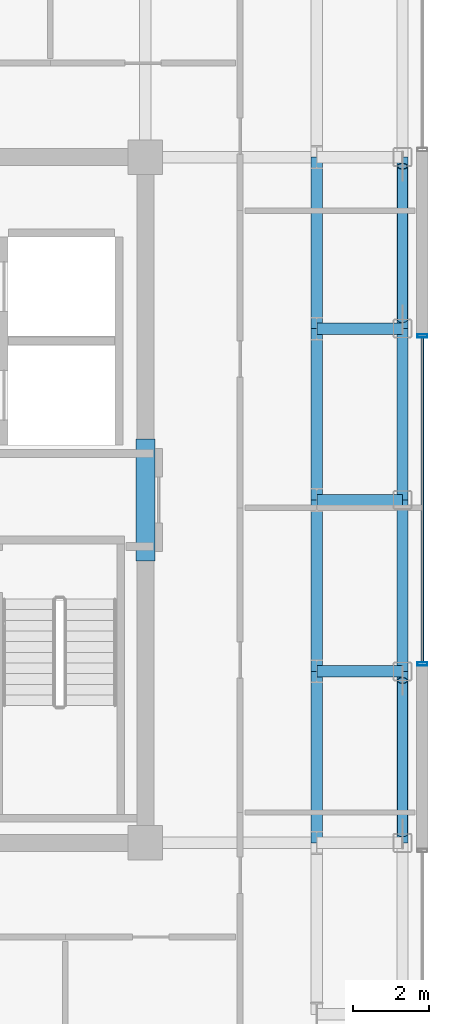
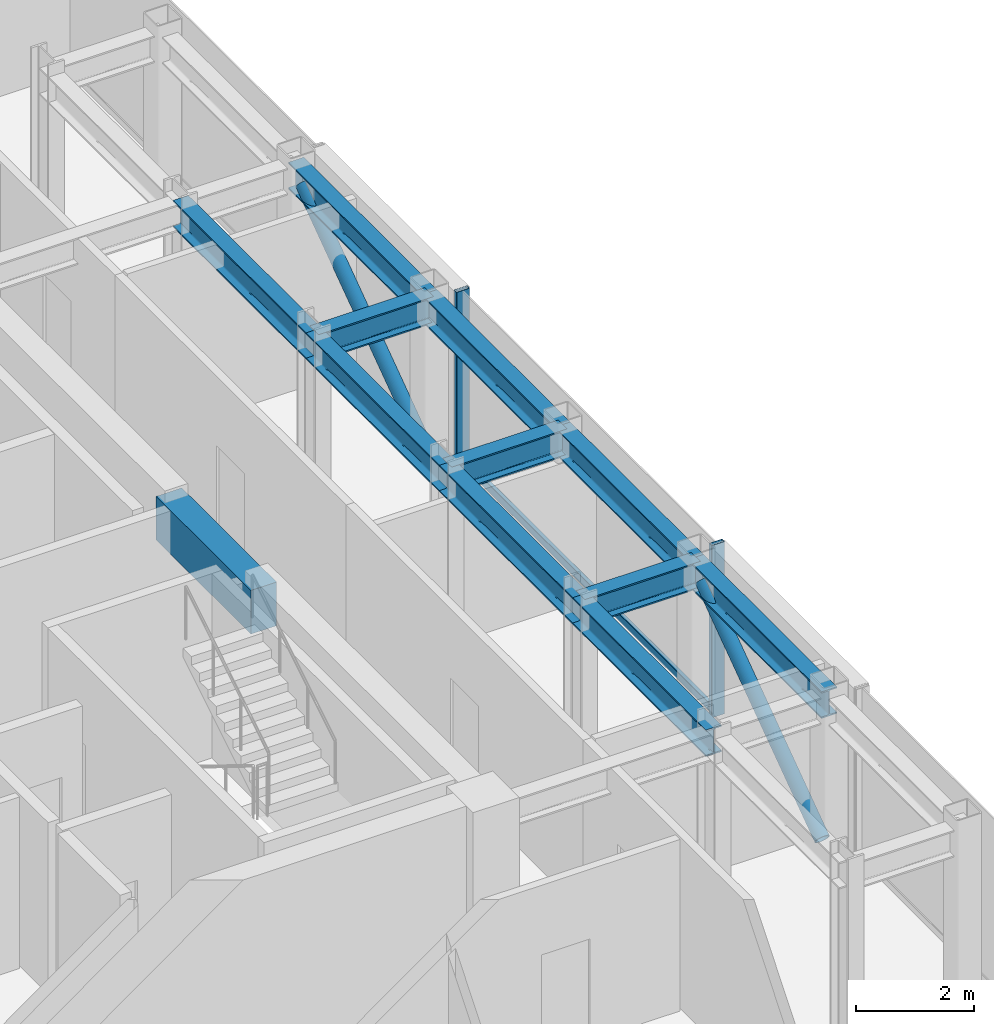
# One storey, part 6 of 16: 12 beams, 5 members, 1 element without a shape of its own.
"""IFC4 building model written with IfcOpenShell, lengths in metres."""

from ifc_helpers import new_model, si_unit, direction, frame, origin, origin_2d, place, context, subcontext, project, spatial, rectangle, hollow_rectangle, hollow_circle, i_section, extrude, source, transform, mapped, material, layer, layer_set, material_profile, profile_set, type_object, element, aggregate, save


model = new_model("IFC4")

# Units and contexts
model_context = context("Model", 3, precision=1e-05, world=origin(), true_north=direction((0.0, 1.0)))
body_context = subcontext(model_context, "Body", "Model", "MODEL_VIEW")
ifc_project = project(units=[si_unit("LENGTHUNIT", "METRE"), si_unit("AREAUNIT", "SQUARE_METRE"), si_unit("VOLUMEUNIT", "CUBIC_METRE"), si_unit("PLANEANGLEUNIT", "RADIAN"), si_unit("MASSUNIT", "GRAM", prefix="KILO")], contexts=[model_context])

# Site, building, storey
site_placement = place(None, origin())
site = spatial("IfcSite", under=ifc_project, at=site_placement, CompositionType="ELEMENT")
building_placement = place(site_placement, origin())
building = spatial("IfcBuilding", under=site, at=building_placement, Name="Nefas-Gora Pilgrimage Tower", CompositionType="ELEMENT")
storey_placement = place(building_placement, frame((0.0, 0.0, 310.199951171875)))
storey = spatial("IfcBuildingStorey", under=building, at=storey_placement, Name="L78", CompositionType="ELEMENT", Elevation=310.199951171875)

# Beam
ifc_material_1 = material(Name="Concrete C50/60", Category="concrete")
ifc_material_profile_1 = material_profile(ifc_material_1, rectangle(XDim=0.5, YDim=0.89990234375, at=origin_2d()), Name="RC 500x900")
ifc_profile_set_1 = profile_set([ifc_material_profile_1], Name="Concrete C50/60")
beam_type_1 = type_object("IfcBeamType", Name="BM-LIN-RC900", PredefinedType="LINTEL", material=ifc_profile_set_1)
shared_shape_1 = source(origin(), body_context, "Body", "SweptSolid", [
    extrude(rectangle(XDim=0.5, YDim=0.89990234375, at=origin_2d()), origin(), (0.0, 0.0, 1.0), 3.2001953125),
])
beam_placement = place(storey_placement, frame((11.25, -1.60009765625, 3.10009765625), z_axis=(0.0, 1.0, 0.0), x_axis=(-1.0, 0.0, 0.0)))
element("IfcBeam", 1, at=beam_placement, inside=storey, type_object=beam_type_1, Name="L78 Core Coupling Lintel Beam E", PredefinedType="LINTEL", context=body_context, shape_type="MappedRepresentation", body=[
    mapped(shared_shape_1, transform((0.0, 0.0, 0.0), x_axis=(1.0, 0.0, 0.0), y_axis=(0.0, 1.0, 0.0), z_axis=(0.0, 0.0, 1.0), scale=1.0)),
])

# Members
ifc_material_2 = material(Name="Steel S355", Category="steel")
ifc_material_profile_2 = material_profile(ifc_material_2, hollow_circle(Radius=0.136474609375, WallThickness=0.01611328125, at=origin_2d()), Name="CHS 273x16")
ifc_profile_set_2 = profile_set([ifc_material_profile_2], Name="Steel S355")
member_type_1 = type_object("IfcMemberType", Name="MEM-TUBE-273", PredefinedType="BRACE", material=ifc_profile_set_2)
shared_shape_2 = source(origin(), body_context, "Body", "SweptSolid", [
    extrude(hollow_circle(Radius=0.136474609375, WallThickness=0.01611328125, at=origin_2d()), origin(), (0.0, 0.0, 1.0), 4.947998046875),
])
for number, where, z_axis, x_axis, name in (
    (2, (18.0, -8.761962890625, 0.3203125), (0.0, 0.813239767156, 0.581928759485), (-1.0, 0.0, 0.0), "L78 Perimeter Tube Diagonal Brace E1"),
    (3, (18.0, 4.738037109375, 0.3203125), (0.0, 0.813239767156, 0.581928759485), (-1.0, 0.0, 0.0), "L78 Perimeter Tube Diagonal Brace E2"),
):
    element("IfcMember", number, at=place(storey_placement, frame(where, z_axis=z_axis, x_axis=x_axis)), inside=storey, type_object=member_type_1, Name=name, PredefinedType="BRACE", context=body_context, shape_type="MappedRepresentation", body=[
        mapped(shared_shape_2, transform((0.0, 0.0, 0.0), x_axis=(1.0, 0.0, 0.0), y_axis=(0.0, 1.0, 0.0), z_axis=(0.0, 0.0, 1.0), scale=1.0)),
    ])

# Beams
ifc_material_profile_3 = material_profile(ifc_material_2, i_section(OverallWidth=0.300048828125, OverallDepth=0.550048828125, WebThickness=0.014892578125, FlangeThickness=0.029052734375, FilletRadius=0.027099609375, at=origin_2d()), Name="HEB 550")
ifc_profile_set_3 = profile_set([ifc_material_profile_3], Name="Steel S355")
beam_type_2 = type_object("IfcBeamType", Name="BM-SPN-HEB400", PredefinedType="SPANDREL", material=ifc_profile_set_3)
shared_shape_3 = source(origin(), body_context, "Body", "SweptSolid", [
    extrude(i_section(OverallWidth=0.300048828125, OverallDepth=0.550048828125, WebThickness=0.014892578125, FlangeThickness=0.029052734375, FilletRadius=0.027099609375, at=origin_2d()), origin(), (0.0, 0.0, 1.0), 4.5),
])
for number, where, z_axis, x_axis, name in (
    (4, (18.0, -9.0, 3.275146484375), (0.0, 1.0, 0.0), (-1.0, 0.0, 0.0), "L78 SP-04 beam"),
    (5, (18.0, -4.5, 3.275146484375), (0.0, 1.0, 0.0), (-1.0, 0.0, 0.0), "L78 SP-04 beam"),
    (6, (18.0, 0.0, 3.275146484375), (0.0, 1.0, 0.0), (-1.0, 0.0, 0.0), "L78 SP-04 beam"),
    (7, (18.0, 4.5, 3.275146484375), (0.0, 1.0, 0.0), (-1.0, 0.0, 0.0), "L78 SP-04 beam"),
):
    element("IfcBeam", number, at=place(storey_placement, frame(where, z_axis=z_axis, x_axis=x_axis)), inside=storey, type_object=beam_type_2, Name=name, PredefinedType="SPANDREL", context=body_context, shape_type="MappedRepresentation", body=[
        mapped(shared_shape_3, transform((0.0, 0.0, 0.0), x_axis=(1.0, 0.0, 0.0), y_axis=(0.0, 1.0, 0.0), z_axis=(0.0, 0.0, 1.0), scale=1.0)),
    ])
ifc_material_profile_4 = material_profile(ifc_material_2, i_section(OverallWidth=0.300048828125, OverallDepth=0.550048828125, WebThickness=0.014892578125, FlangeThickness=0.029052734375, FilletRadius=0.027099609375, at=origin_2d()), Name="HEB 550")
ifc_profile_set_4 = profile_set([ifc_material_profile_4], Name="Steel S355")
beam_type_3 = type_object("IfcBeamType", Name="BM-GIR-HEB550", PredefinedType="BEAM", material=ifc_profile_set_4)
shared_shape_4 = source(origin(), body_context, "Body", "SweptSolid", [
    extrude(i_section(OverallWidth=0.300048828125, OverallDepth=0.550048828125, WebThickness=0.014892578125, FlangeThickness=0.029052734375, FilletRadius=0.027099609375, at=origin_2d()), origin(), (0.0, 0.0, 1.0), 4.5),
])
for number, where, z_axis, x_axis, name in (
    (8, (15.75, -9.0, 3.275146484375), (0.0, 1.0, 0.0), (-1.0, 0.0, 0.0), "L78 G-05 beam"),
    (9, (15.75, -4.5, 3.275146484375), (0.0, 1.0, 0.0), (-1.0, 0.0, 0.0), "L78 G-05 beam"),
    (10, (15.75, 0.0, 3.275146484375), (0.0, 1.0, 0.0), (-1.0, 0.0, 0.0), "L78 G-05 beam"),
    (11, (15.75, 4.5, 3.275146484375), (0.0, 1.0, 0.0), (-1.0, 0.0, 0.0), "L78 G-05 beam"),
):
    element("IfcBeam", number, at=place(storey_placement, frame(where, z_axis=z_axis, x_axis=x_axis)), inside=storey, type_object=beam_type_3, Name=name, PredefinedType="BEAM", context=body_context, shape_type="MappedRepresentation", body=[
        mapped(shared_shape_4, transform((0.0, 0.0, 0.0), x_axis=(1.0, 0.0, 0.0), y_axis=(0.0, 1.0, 0.0), z_axis=(0.0, 0.0, 1.0), scale=1.0)),
    ])
shared_shape_5 = source(origin(), body_context, "Body", "SweptSolid", [
    extrude(i_section(OverallWidth=0.300048828125, OverallDepth=0.550048828125, WebThickness=0.014892578125, FlangeThickness=0.029052734375, FilletRadius=0.027099609375, at=origin_2d()), origin(), (0.0, 0.0, 1.0), 2.25),
])
for number, where, z_axis, x_axis, name in (
    (12, (15.75, -4.5, 3.275146484375), (1.0, 0.0, 0.0), (0.0, 1.0, 0.0), "L78 G-05 beam"),
    (13, (15.75, 0.0, 3.275146484375), (1.0, 0.0, 0.0), (0.0, 1.0, 0.0), "L78 G-05 beam"),
    (14, (15.75, 4.5, 3.275146484375), (1.0, 0.0, 0.0), (0.0, 1.0, 0.0), "L78 G-05 beam"),
):
    element("IfcBeam", number, at=place(storey_placement, frame(where, z_axis=z_axis, x_axis=x_axis)), inside=storey, type_object=beam_type_3, Name=name, PredefinedType="BEAM", context=body_context, shape_type="MappedRepresentation", body=[
        mapped(shared_shape_5, transform((0.0, 0.0, 0.0), x_axis=(1.0, 0.0, 0.0), y_axis=(0.0, 1.0, 0.0), z_axis=(0.0, 0.0, 1.0), scale=1.0)),
    ])

# Curtain wall, members
ifc_material_3 = material(Name="Dark ceramic-fritted solar-control aluminium-glass curtain wall", Category="aluminium")
ifc_layer = layer(ifc_material_3, 0.219970703125)
ifc_layer_set = layer_set([ifc_layer], Name="Dark ceramic-fritted solar-control aluminium-glass curtain wall")
curtain_wall_type = type_object("IfcCurtainWallType", Name="CW-SYS-4", PredefinedType="NOTDEFINED", material=ifc_layer_set)
curtain_wall_placement = place(storey_placement, origin())
curtain_wall = element("IfcCurtainWall", 15, at=curtain_wall_placement, inside=storey, type_object=curtain_wall_type, Name="L78 Unitised Curtain Wall CW4", PredefinedType="NOTDEFINED")
ifc_material_4 = material(Name="Anodised architectural aluminium", Category="aluminium")
ifc_material_profile_5 = material_profile(ifc_material_4, hollow_rectangle(XDim=0.080078125, YDim=0.159912109375, WallThickness=0.00439453125, InnerFilletRadius=0.00439453125, OuterFilletRadius=0.009033203125, at=origin_2d()), Name="ALU TRANSOM 80x160")
ifc_profile_set_5 = profile_set([ifc_material_profile_5], Name="Anodised architectural aluminium")
member_type_2 = type_object("IfcMemberType", Name="CWM-TRN-4", PredefinedType="USERDEFINED", material=ifc_profile_set_5)
shared_shape_6 = source(origin(), body_context, "Body", "SweptSolid", [
    extrude(hollow_rectangle(XDim=0.080078125, YDim=0.159912109375, WallThickness=0.00439453125, InnerFilletRadius=0.00439453125, OuterFilletRadius=0.009033203125, at=origin_2d()), origin(), (0.0, 0.0, 1.0), 8.52001953125),
])
member_1_placement = place(storey_placement, frame((18.52001953125, -4.260009765625, 0.050048828125), z_axis=(0.0, 1.0, 0.0), x_axis=(-1.0, 0.0, 0.0)))
member_1 = element("IfcMember", 16, at=member_1_placement, type_object=member_type_2, Name="CW4 Spandrel Transom", ObjectType="TRANSOM", PredefinedType="USERDEFINED", context=body_context, shape_type="MappedRepresentation", body=[
    mapped(shared_shape_6, transform((0.0, 0.0, 0.0), x_axis=(1.0, 0.0, 0.0), y_axis=(0.0, 1.0, 0.0), z_axis=(0.0, 0.0, 1.0), scale=1.0)),
])
ifc_material_profile_6 = material_profile(ifc_material_4, hollow_rectangle(XDim=0.090087890625, YDim=0.260009765625, WallThickness=0.006103515625, InnerFilletRadius=0.006103515625, OuterFilletRadius=0.011962890625, at=origin_2d()), Name="ALU MULLION 90x260")
ifc_profile_set_6 = profile_set([ifc_material_profile_6], Name="Anodised architectural aluminium")
member_type_3 = type_object("IfcMemberType", Name="CWM-MUL-4", PredefinedType="MULLION", material=ifc_profile_set_6)
shared_shape_7 = source(origin(), body_context, "Body", "SweptSolid", [
    extrude(hollow_rectangle(XDim=0.090087890625, YDim=0.260009765625, WallThickness=0.006103515625, InnerFilletRadius=0.006103515625, OuterFilletRadius=0.011962890625, at=origin_2d()), origin(), (0.0, 0.0, 1.0), 3.550048828125),
])
member_2_placement = place(storey_placement, frame((18.52001953125, -4.304931640625, 0.0), z_axis=(0.0, 0.0, 1.0), x_axis=(0.0, 1.0, 0.0)))
member_2 = element("IfcMember", 17, at=member_2_placement, type_object=member_type_3, Name="CW4 Mullion 1", PredefinedType="MULLION", context=body_context, shape_type="MappedRepresentation", body=[
    mapped(shared_shape_7, transform((0.0, 0.0, 0.0), x_axis=(1.0, 0.0, 0.0), y_axis=(0.0, 1.0, 0.0), z_axis=(0.0, 0.0, 1.0), scale=1.0)),
])
member_3_placement = place(storey_placement, frame((18.52001953125, 4.304931640625, 0.0), z_axis=(0.0, 0.0, 1.0), x_axis=(0.0, 1.0, 0.0)))
member_3 = element("IfcMember", 18, at=member_3_placement, type_object=member_type_3, Name="CW4 Mullion 2", PredefinedType="MULLION", context=body_context, shape_type="MappedRepresentation", body=[
    mapped(shared_shape_7, transform((0.0, 0.0, 0.0), x_axis=(1.0, 0.0, 0.0), y_axis=(0.0, 1.0, 0.0), z_axis=(0.0, 0.0, 1.0), scale=1.0)),
])
aggregate(curtain_wall, [member_2, member_3, member_1])

save(model, "model.ifc")
